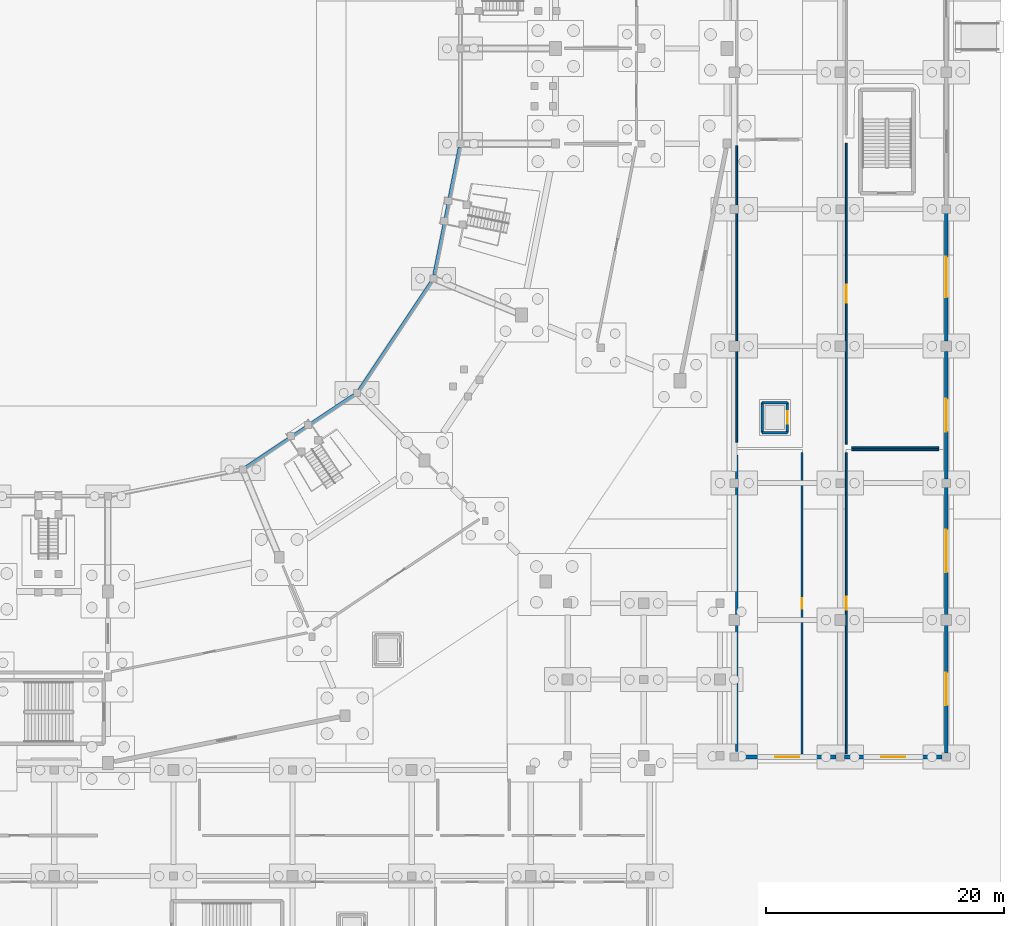
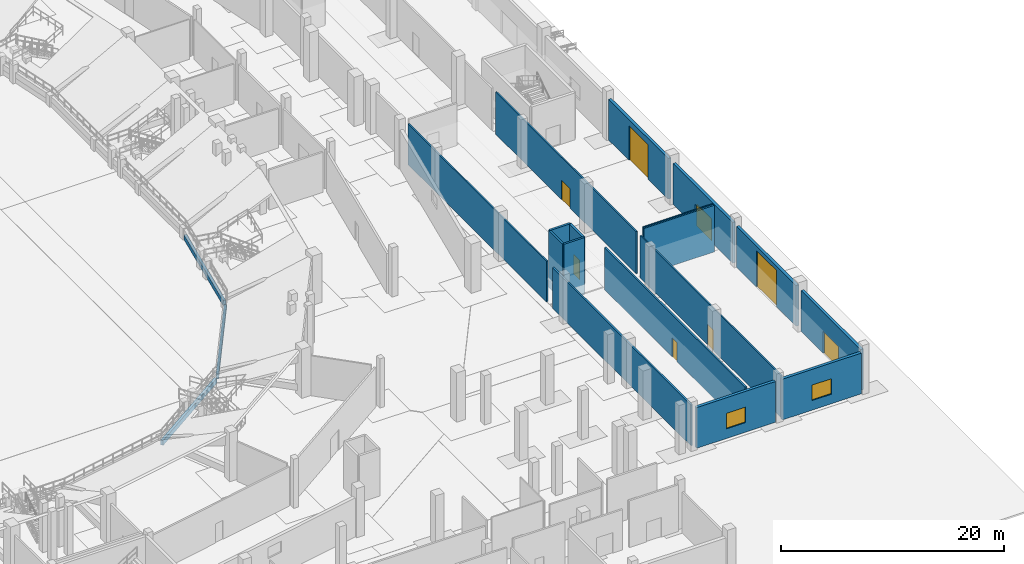
# One storey, part 33 of 68: 20 walls, 8 doors, 2 windows, 10 openings.
"""IFC4 building model written with IfcOpenShell, lengths in metres."""

from ifc_helpers import new_model, si_unit, direction, frame, frame_2d, origin, place, context, subcontext, project, spatial, rectangle, extrude, material, layer, layer_set, type_object, element, fill, save


model = new_model("IFC4")

# Units and contexts
model_context = context("Model", 3, precision=1e-05, world=origin(), true_north=direction((0.0, 1.0)))
body_context = subcontext(model_context, "Body", "Model", "MODEL_VIEW")
ifc_project = project(units=[si_unit("LENGTHUNIT", "METRE"), si_unit("AREAUNIT", "SQUARE_METRE"), si_unit("VOLUMEUNIT", "CUBIC_METRE"), si_unit("PLANEANGLEUNIT", "RADIAN"), si_unit("MASSUNIT", "GRAM", prefix="KILO")], contexts=[model_context])

# Site, building, storey
site_placement = place(None, origin())
site = spatial("IfcSite", under=ifc_project, at=site_placement, CompositionType="ELEMENT")
building_placement = place(site_placement, origin())
building = spatial("IfcBuilding", under=site, at=building_placement, Name="Candeia Ridge Stadium", CompositionType="ELEMENT")
storey_placement = place(building_placement, origin())
storey = spatial("IfcBuildingStorey", under=building, at=storey_placement, Name="L00", CompositionType="ELEMENT", Elevation=0.0)

# Wall, opening, door
ifc_material_1 = material(Name="Gypsum Metal-Stud Partition", Category="gypsum")
ifc_layer_1 = layer(ifc_material_1, 0.14501953125, Name="Gypsum Metal-Stud Partition", Category="gypsum")
ifc_layer_set_1 = layer_set([ifc_layer_1], Name="Gypsum Metal-Stud Partition")
wall_type_1 = type_object("IfcWallType", Name="Athlete Recovery Partition 145", PredefinedType="PARTITIONING", material=ifc_layer_set_1)
wall_1_placement = place(storey_placement, frame((203.0, 19.75, 0.0), z_axis=(0.0, 0.0, 1.0), x_axis=(0.0, 1.0, 0.0)))
wall_1 = element("IfcWall", 1, at=wall_1_placement, inside=storey, type_object=wall_type_1, Name="Interior partition PT-L00-0024", PredefinedType="PARTITIONING", context=body_context, shape_type="SweptSolid", body=[
    extrude(rectangle(XDim=25.300048828125, YDim=0.14501953125, at=frame_2d((12.64990234375, 0.0))), origin(), (0.0, 0.0, 1.0), 4.625),
])
opening_1_placement = place(wall_1_placement, frame((12.110107421875, 0.0, 0.0)))
opening_1 = element("IfcOpeningElement", 2, at=opening_1_placement, cuts=wall_1, Name="Opening ID08", PredefinedType="OPENING", context=body_context, shape_type="SweptSolid", body=[
    extrude(rectangle(XDim=1.080078125, YDim=2.25, at=frame_2d((0.5400390625, 1.125))), frame((0.0, 0.08251953125, 0.0), z_axis=(0.0, -1.0, 0.0), x_axis=(1.0, 0.0, 0.0)), (0.0, 0.0, 1.0), 0.1650390625),
])
ifc_material_2 = material(Name="Western Red Cedar Acoustic Veneer", Category="wood")
door_type_1 = type_object("IfcDoorType", Name="Executive Skybox Entry Door 1080x2250", OperationType="NOTDEFINED", PredefinedType="DOOR", material=ifc_material_2)
door_1_placement = place(opening_1_placement, frame((1.080078125, 0.0, 0.0), z_axis=(0.0, 0.0, 1.0), x_axis=(-1.0, 0.0, 0.0)))
door_1 = element("IfcDoor", 3, at=door_1_placement, inside=storey, type_object=door_type_1, Name="Interior room door D-L00-0014", OperationType="SINGLE_SWING_LEFT", OverallHeight=2.25, OverallWidth=1.080078125, PredefinedType="DOOR", context=body_context, shape_type="SweptSolid", body=[
    extrude(rectangle(XDim=1.080078125, YDim=2.25, at=frame_2d((0.5400390625, 1.125))), frame((0.0, 0.02490234375, 0.0), z_axis=(0.0, -1.0, 0.0), x_axis=(1.0, 0.0, 0.0)), (0.0, 0.0, 1.0), 0.050048828125),
])
fill(opening_1, door_1)

# Wall
ifc_material_3 = material(Name="Concrete Masonry Blockwork C25/30", Category="masonry")
ifc_layer_2 = layer(ifc_material_3, 0.14990234375, Name="Concrete Masonry Blockwork C25/30", Category="masonry")
ifc_layer_set_2 = layer_set([ifc_layer_2], Name="Concrete Masonry Blockwork C25/30")
wall_type_2 = type_object("IfcWallType", Name="Concourse Kiosk Partition 150", PredefinedType="PARTITIONING", material=ifc_layer_set_2)
wall_2_placement = place(storey_placement, frame((193.800048828125, 45.949951171875, 0.0), z_axis=(0.0, 0.0, 1.0), x_axis=(0.0, 1.0, 0.0)))
element("IfcWall", 4, at=wall_2_placement, inside=storey, type_object=wall_type_2, Name="Demising partition PT-L00-0027", PredefinedType="PARTITIONING", context=body_context, shape_type="SweptSolid", body=[
    extrude(rectangle(XDim=24.900146484375, YDim=0.14990234375, at=frame_2d((12.4501953125, 0.0))), origin(), (0.0, 0.0, 1.0), 4.47509765625),
])

# Wall, opening, door
wall_3_placement = place(storey_placement, frame((203.0, 45.75, 0.0), z_axis=(0.0, 0.0, 1.0), x_axis=(0.0, 1.0, 0.0)))
wall_3 = element("IfcWall", 5, at=wall_3_placement, inside=storey, type_object=wall_type_2, Name="Interior partition PT-L00-0028", PredefinedType="PARTITIONING", context=body_context, shape_type="SweptSolid", body=[
    extrude(rectangle(XDim=25.300048828125, YDim=0.14990234375, at=frame_2d((12.64990234375, 0.0))), origin(), (0.0, 0.0, 1.0), 4.625),
])
opening_2_placement = place(wall_3_placement, frame((11.875, 0.0, 0.0)))
opening_2 = element("IfcOpeningElement", 6, at=opening_2_placement, cuts=wall_3, Name="Opening ID14", PredefinedType="OPENING", context=body_context, shape_type="SweptSolid", body=[
    extrude(rectangle(XDim=1.550048828125, YDim=2.14990234375, at=frame_2d((0.77490234375, 1.074951171875))), frame((0.0, 0.0849609375, 0.0), z_axis=(0.0, -1.0, 0.0), x_axis=(1.0, 0.0, 0.0)), (0.0, 0.0, 1.0), 0.169921875),
])
ifc_material_4 = material(Name="Brushed Stainless Steel", Category="steel")
door_type_2 = type_object("IfcDoorType", Name="Catering Kitchen Double Door 1550x2150", OperationType="NOTDEFINED", PredefinedType="DOOR", material=ifc_material_4)
door_2_placement = place(opening_2_placement, origin())
door_2 = element("IfcDoor", 7, at=door_2_placement, inside=storey, type_object=door_type_2, Name="Interior room door D-L00-0016", OperationType="DOUBLE_DOOR_SINGLE_SWING", OverallHeight=2.14990234375, OverallWidth=1.550048828125, PredefinedType="DOOR", context=body_context, shape_type="SweptSolid", body=[
    extrude(rectangle(XDim=1.550048828125, YDim=2.14990234375, at=frame_2d((0.77490234375, 1.074951171875))), frame((0.0, 0.02490234375, 0.0), z_axis=(0.0, -1.0, 0.0), x_axis=(1.0, 0.0, 0.0)), (0.0, 0.0, 1.0), 0.050048828125),
])
fill(opening_2, door_2)

# Wall, opening, window
ifc_material_5 = material(Name="Concrete C35/45", Category="concrete")
ifc_layer_3 = layer(ifc_material_5, 0.300048828125, Name="Concrete C35/45", Category="concrete")
ifc_layer_set_3 = layer_set([ifc_layer_3], Name="Concrete C35/45")
wall_type_3 = type_object("IfcWallType", Name="Exterior Pavilion Rainscreen Wall 300", PredefinedType="SOLIDWALL", material=ifc_layer_set_3)
wall_4_placement = place(storey_placement, frame((193.93798828125, 19.5, 0.0), z_axis=(0.0, 0.0, 1.0), x_axis=(1.0, 0.0, 0.0)))
wall_4 = element("IfcWall", 8, at=wall_4_placement, inside=storey, type_object=wall_type_3, Name="Exterior facade wall EW-L00-0130", PredefinedType="SOLIDWALL", context=body_context, shape_type="SweptSolid", body=[
    extrude(rectangle(XDim=8.22412109375, YDim=0.300048828125, at=frame_2d((4.112060546875, 0.0))), origin(), (0.0, 0.0, 1.0), 4.47509765625),
])
opening_3_placement = place(wall_4_placement, frame((3.112060546875, 0.0, 1.050048828125)))
opening_3 = element("IfcOpeningElement", 9, at=opening_3_placement, cuts=wall_4, Name="Opening W12", PredefinedType="OPENING", context=body_context, shape_type="SweptSolid", body=[
    extrude(rectangle(XDim=2.0, YDim=1.699951171875, at=frame_2d((1.0, 0.85009765625))), frame((0.0, 0.159912109375, 0.0), z_axis=(0.0, -1.0, 0.0), x_axis=(1.0, 0.0, 0.0)), (0.0, 0.0, 1.0), 0.320068359375),
])
ifc_material_6 = material(Name="Tempered Solar-Control Double Glazing", Category="glass")
window_type = type_object("IfcWindowType", Name="Community Room Window 2000x1700", PartitioningType="SINGLE_PANEL", PredefinedType="WINDOW", material=ifc_material_6)
window_1_placement = place(opening_3_placement, origin())
window_1 = element("IfcWindow", 10, at=window_1_placement, inside=storey, type_object=window_type, Name="Exterior window WIN-L00-067", OverallHeight=1.699951171875, OverallWidth=2.0, PartitioningType="SINGLE_PANEL", PredefinedType="WINDOW", context=body_context, shape_type="SweptSolid", body=[
    extrude(rectangle(XDim=2.0, YDim=1.699951171875, at=frame_2d((1.0, 0.85009765625))), frame((0.0, 0.030029296875, 0.0), z_axis=(0.0, -1.0, 0.0), x_axis=(1.0, 0.0, 0.0)), (0.0, 0.0, 1.0), 0.06005859375),
])
fill(opening_3, window_1)

wall_5_placement = place(storey_placement, frame((202.837890625, 19.5, 0.0), z_axis=(0.0, 0.0, 1.0), x_axis=(1.0, 0.0, 0.0)))
wall_5 = element("IfcWall", 11, at=wall_5_placement, inside=storey, type_object=wall_type_3, Name="Exterior facade wall EW-L00-0131", PredefinedType="SOLIDWALL", context=body_context, shape_type="SweptSolid", body=[
    extrude(rectangle(XDim=8.22412109375, YDim=0.300048828125, at=frame_2d((4.112060546875, 0.0))), origin(), (0.0, 0.0, 1.0), 4.47509765625),
])
opening_4_placement = place(wall_5_placement, frame((3.112060546875, 0.0, 1.050048828125)))
opening_4 = element("IfcOpeningElement", 12, at=opening_4_placement, cuts=wall_5, Name="Opening W12", PredefinedType="OPENING", context=body_context, shape_type="SweptSolid", body=[
    extrude(rectangle(XDim=2.0, YDim=1.699951171875, at=frame_2d((1.0, 0.85009765625))), frame((0.0, 0.159912109375, 0.0), z_axis=(0.0, -1.0, 0.0), x_axis=(1.0, 0.0, 0.0)), (0.0, 0.0, 1.0), 0.320068359375),
])
window_2_placement = place(opening_4_placement, origin())
window_2 = element("IfcWindow", 13, at=window_2_placement, inside=storey, type_object=window_type, Name="Exterior window WIN-L00-068", OverallHeight=1.699951171875, OverallWidth=2.0, PartitioningType="SINGLE_PANEL", PredefinedType="WINDOW", context=body_context, shape_type="SweptSolid", body=[
    extrude(rectangle(XDim=2.0, YDim=1.699951171875, at=frame_2d((1.0, 0.85009765625))), frame((0.0, 0.030029296875, 0.0), z_axis=(0.0, -1.0, 0.0), x_axis=(1.0, 0.0, 0.0)), (0.0, 0.0, 1.0), 0.06005859375),
])
fill(opening_4, window_2)

# Wall, opening, door
ifc_layer_4 = layer(ifc_material_5, 0.2900390625, Name="Concrete C35/45", Category="concrete")
ifc_layer_set_4 = layer_set([ifc_layer_4], Name="Concrete C35/45")
wall_type_4 = type_object("IfcWallType", Name="Exterior Service & Plant Wall 290", PredefinedType="SOLIDWALL", material=ifc_layer_set_4)
wall_6_placement = place(storey_placement, frame((211.39990234375, 19.837890625, 0.0), z_axis=(0.0, 0.0, 1.0), x_axis=(0.0, 1.0, 0.0)))
wall_6 = element("IfcWall", 14, at=wall_6_placement, inside=storey, type_object=wall_type_4, Name="Exterior facade wall EW-L00-0119", PredefinedType="SOLIDWALL", context=body_context, shape_type="SweptSolid", body=[
    extrude(rectangle(XDim=10.72412109375, YDim=0.2900390625, at=frame_2d((5.362060546875, 0.0))), origin(), (0.0, 0.0, 1.0), 4.47509765625),
])
opening_5_placement = place(wall_6_placement, frame((3.987060546875, 0.0, 0.0)))
opening_5 = element("IfcOpeningElement", 15, at=opening_5_placement, cuts=wall_6, Name="Opening ED01", PredefinedType="OPENING", context=body_context, shape_type="SweptSolid", body=[
    extrude(rectangle(XDim=2.75, YDim=2.39990234375, at=frame_2d((1.375, 1.199951171875))), frame((0.0, 0.155029296875, 0.0), z_axis=(0.0, -1.0, 0.0), x_axis=(1.0, 0.0, 0.0)), (0.0, 0.0, 1.0), 0.31005859375),
])
ifc_material_7 = material(Name="Aluminium Anodized Glazed Door", Category="aluminium")
door_type_3 = type_object("IfcDoorType", Name="Pedestrian Exit Double Door 2750x2400", OperationType="NOTDEFINED", PredefinedType="DOOR", material=ifc_material_7)
door_3_placement = place(opening_5_placement, frame((2.75, 0.0, 0.0), z_axis=(0.0, 0.0, 1.0), x_axis=(-1.0, 0.0, 0.0)))
door_3 = element("IfcDoor", 16, at=door_3_placement, inside=storey, type_object=door_type_3, Name="Pedestrian exit gate G09", OperationType="DOUBLE_DOOR_SINGLE_SWING", OverallHeight=2.39990234375, OverallWidth=2.75, PredefinedType="DOOR", context=body_context, shape_type="SweptSolid", body=[
    extrude(rectangle(XDim=2.75, YDim=2.39990234375, at=frame_2d((1.375, 1.199951171875))), frame((0.0, 0.02490234375, 0.0), z_axis=(0.0, -1.0, 0.0), x_axis=(1.0, 0.0, 0.0)), (0.0, 0.0, 1.0), 0.050048828125),
])
fill(opening_5, door_3)

wall_7_placement = place(storey_placement, frame((211.39990234375, 31.43798828125, 0.0), z_axis=(0.0, 0.0, 1.0), x_axis=(0.0, 1.0, 0.0)))
wall_7 = element("IfcWall", 17, at=wall_7_placement, inside=storey, type_object=wall_type_4, Name="Exterior facade wall EW-L00-0120", PredefinedType="SOLIDWALL", context=body_context, shape_type="SweptSolid", body=[
    extrude(rectangle(XDim=10.72412109375, YDim=0.2900390625, at=frame_2d((5.362060546875, 0.0))), origin(), (0.0, 0.0, 1.0), 4.47509765625),
])
opening_6_placement = place(wall_7_placement, frame((3.56201171875, 0.0, 0.0)))
opening_6 = element("IfcOpeningElement", 18, at=opening_6_placement, cuts=wall_7, Name="Opening RS01", PredefinedType="OPENING", context=body_context, shape_type="SweptSolid", body=[
    extrude(rectangle(XDim=3.60009765625, YDim=4.0, at=frame_2d((1.800048828125, 2.0))), frame((0.0, 0.155029296875, 0.0), z_axis=(0.0, -1.0, 0.0), x_axis=(1.0, 0.0, 0.0)), (0.0, 0.0, 1.0), 0.31005859375),
])
ifc_material_8 = material(Name="Galvanized Steel Roller Shutter", Category="steel")
door_type_4 = type_object("IfcDoorType", Name="Vehicle Service Roller Shutter 3600x4000", OperationType="NOTDEFINED", PredefinedType="DOOR", material=ifc_material_8)
door_4_placement = place(opening_6_placement, frame((3.60009765625, 0.0, 0.0), z_axis=(0.0, 0.0, 1.0), x_axis=(-1.0, 0.0, 0.0)))
door_4 = element("IfcDoor", 19, at=door_4_placement, inside=storey, type_object=door_type_4, Name="Service dock roller shutter LS01", OperationType="ROLLINGUP", OverallHeight=4.0, OverallWidth=3.60009765625, PredefinedType="DOOR", context=body_context, shape_type="SweptSolid", body=[
    extrude(rectangle(XDim=3.60009765625, YDim=4.0, at=frame_2d((1.800048828125, 2.0))), frame((0.0, 0.02490234375, 0.0), z_axis=(0.0, -1.0, 0.0), x_axis=(1.0, 0.0, 0.0)), (0.0, 0.0, 1.0), 0.050048828125),
])
fill(opening_6, door_4)

wall_8_placement = place(storey_placement, frame((211.39990234375, 42.837890625, 0.0), z_axis=(0.0, 0.0, 1.0), x_axis=(0.0, 1.0, 0.0)))
wall_8 = element("IfcWall", 20, at=wall_8_placement, inside=storey, type_object=wall_type_4, Name="Exterior facade wall EW-L00-0121", PredefinedType="SOLIDWALL", context=body_context, shape_type="SweptSolid", body=[
    extrude(rectangle(XDim=10.72412109375, YDim=0.2900390625, at=frame_2d((5.362060546875, 0.0))), origin(), (0.0, 0.0, 1.0), 4.47509765625),
])
opening_7_placement = place(wall_8_placement, frame((3.987060546875, 0.0, 0.0)))
opening_7 = element("IfcOpeningElement", 21, at=opening_7_placement, cuts=wall_8, Name="Opening ED01", PredefinedType="OPENING", context=body_context, shape_type="SweptSolid", body=[
    extrude(rectangle(XDim=2.75, YDim=2.39990234375, at=frame_2d((1.375, 1.199951171875))), frame((0.0, 0.155029296875, 0.0), z_axis=(0.0, -1.0, 0.0), x_axis=(1.0, 0.0, 0.0)), (0.0, 0.0, 1.0), 0.31005859375),
])
door_5_placement = place(opening_7_placement, frame((2.75, 0.0, 0.0), z_axis=(0.0, 0.0, 1.0), x_axis=(-1.0, 0.0, 0.0)))
door_5 = element("IfcDoor", 22, at=door_5_placement, inside=storey, type_object=door_type_3, Name="Pedestrian exit gate G10", OperationType="DOUBLE_DOOR_SINGLE_SWING", OverallHeight=2.39990234375, OverallWidth=2.75, PredefinedType="DOOR", context=body_context, shape_type="SweptSolid", body=[
    extrude(rectangle(XDim=2.75, YDim=2.39990234375, at=frame_2d((1.375, 1.199951171875))), frame((0.0, 0.02490234375, 0.0), z_axis=(0.0, -1.0, 0.0), x_axis=(1.0, 0.0, 0.0)), (0.0, 0.0, 1.0), 0.050048828125),
])
fill(opening_7, door_5)

wall_9_placement = place(storey_placement, frame((211.39990234375, 54.43798828125, 0.0), z_axis=(0.0, 0.0, 1.0), x_axis=(0.0, 1.0, 0.0)))
wall_9 = element("IfcWall", 23, at=wall_9_placement, inside=storey, type_object=wall_type_4, Name="Exterior facade wall EW-L00-0122", PredefinedType="SOLIDWALL", context=body_context, shape_type="SweptSolid", body=[
    extrude(rectangle(XDim=10.72412109375, YDim=0.2900390625, at=frame_2d((5.362060546875, 0.0))), origin(), (0.0, 0.0, 1.0), 4.47509765625),
])
opening_8_placement = place(wall_9_placement, frame((3.662109375, 0.0, 0.0)))
opening_8 = element("IfcOpeningElement", 24, at=opening_8_placement, cuts=wall_9, Name="Opening RS02", PredefinedType="OPENING", context=body_context, shape_type="SweptSolid", body=[
    extrude(rectangle(XDim=3.39990234375, YDim=3.800048828125, at=frame_2d((1.699951171875, 1.89990234375))), frame((0.0, 0.155029296875, 0.0), z_axis=(0.0, -1.0, 0.0), x_axis=(1.0, 0.0, 0.0)), (0.0, 0.0, 1.0), 0.31005859375),
])
door_type_5 = type_object("IfcDoorType", Name="Broadcast Dock Roller Shutter 3400x3800", OperationType="NOTDEFINED", PredefinedType="DOOR", material=ifc_material_8)
door_6_placement = place(opening_8_placement, frame((3.39990234375, 0.0, 0.0), z_axis=(0.0, 0.0, 1.0), x_axis=(-1.0, 0.0, 0.0)))
door_6 = element("IfcDoor", 25, at=door_6_placement, inside=storey, type_object=door_type_5, Name="Service dock roller shutter LS02", OperationType="ROLLINGUP", OverallHeight=3.800048828125, OverallWidth=3.39990234375, PredefinedType="DOOR", context=body_context, shape_type="SweptSolid", body=[
    extrude(rectangle(XDim=3.39990234375, YDim=3.800048828125, at=frame_2d((1.699951171875, 1.89990234375))), frame((0.0, 0.02490234375, 0.0), z_axis=(0.0, -1.0, 0.0), x_axis=(1.0, 0.0, 0.0)), (0.0, 0.0, 1.0), 0.050048828125),
])
fill(opening_8, door_6)

# Walls
ifc_material_9 = material(Name="Gypsum Acoustic Twin-Stud Assembly", Category="gypsum")
ifc_layer_5 = layer(ifc_material_9, 0.1650390625, Name="Gypsum Acoustic Twin-Stud Assembly", Category="gypsum")
ifc_layer_set_5 = layer_set([ifc_layer_5], Name="Gypsum Acoustic Twin-Stud Assembly")
wall_type_5 = type_object("IfcWallType", Name="Hospitality Suite Acoustic Wall 165", PredefinedType="PARTITIONING", material=ifc_layer_set_5)
wall_10_placement = place(storey_placement, frame((203.449951171875, 45.300048828125, 0.0), z_axis=(0.0, 0.0, 1.0), x_axis=(1.0, 0.0, 0.0)))
element("IfcWall", 26, at=wall_10_placement, inside=storey, type_object=wall_type_5, Name="Demising partition PT-L00-0025", PredefinedType="PARTITIONING", context=body_context, shape_type="SweptSolid", body=[
    extrude(rectangle(XDim=7.300048828125, YDim=0.1650390625, at=frame_2d((3.64990234375, 0.0))), origin(), (0.0, 0.0, 1.0), 5.1201171875),
])
ifc_material_10 = material(Name="Concrete C40/50", Category="concrete")
ifc_layer_6 = layer(ifc_material_10, 0.219970703125, Name="Concrete C40/50", Category="concrete")
ifc_layer_set_6 = layer_set([ifc_layer_6], Name="Concrete C40/50")
wall_type_6 = type_object("IfcWallType", Name="Lift & Riser Shaft Wall 220", PredefinedType="SHEAR", material=ifc_layer_set_6)
wall_11_placement = place(storey_placement, frame((195.93994140625, 46.739990234375, -1.10009765625), z_axis=(0.0, 0.0, 1.0), x_axis=(1.0, 0.0, 0.0)))
element("IfcWall", 27, at=wall_11_placement, inside=storey, type_object=wall_type_6, Name="Lift PL8 shaft wall L00 south", PredefinedType="SHEAR", context=body_context, shape_type="SweptSolid", body=[
    extrude(rectangle(XDim=2.1201171875, YDim=0.219970703125, at=frame_2d((1.06005859375, 0.0))), origin(), (0.0, 0.0, 1.0), 6.239990234375),
])

# Wall, opening, door
wall_12_placement = place(storey_placement, frame((198.06005859375, 46.739990234375, -1.10009765625), z_axis=(0.0, 0.0, 1.0), x_axis=(0.0, 1.0, 0.0)))
wall_12 = element("IfcWall", 28, at=wall_12_placement, inside=storey, type_object=wall_type_6, Name="Lift PL8 shaft wall L00 east", PredefinedType="SHEAR", context=body_context, shape_type="SweptSolid", body=[
    extrude(rectangle(XDim=2.52001953125, YDim=0.219970703125, at=frame_2d((1.260009765625, 0.0))), origin(), (0.0, 0.0, 1.0), 6.239990234375),
])
opening_9_placement = place(wall_12_placement, frame((0.735107421875, 0.0, 1.10009765625)))
opening_9 = element("IfcOpeningElement", 29, at=opening_9_placement, cuts=wall_12, Name="Opening LD02", PredefinedType="OPENING", context=body_context, shape_type="SweptSolid", body=[
    extrude(rectangle(XDim=1.050048828125, YDim=2.14990234375, at=frame_2d((0.52490234375, 1.074951171875))), frame((0.0, 0.119873046875, 0.0), z_axis=(0.0, -1.0, 0.0), x_axis=(1.0, 0.0, 0.0)), (0.0, 0.0, 1.0), 0.239990234375),
])
door_type_6 = type_object("IfcDoorType", Name="Passenger Lift Landing Door 1050x2150", OperationType="NOTDEFINED", PredefinedType="DOOR", material=ifc_material_4)
door_7_placement = place(opening_9_placement, origin())
door_7 = element("IfcDoor", 30, at=door_7_placement, inside=storey, type_object=door_type_6, Name="Lift landing sliding door LD-PL8-L00", OperationType="DOUBLE_DOOR_SLIDING", OverallHeight=2.14990234375, OverallWidth=1.050048828125, PredefinedType="DOOR", context=body_context, shape_type="SweptSolid", body=[
    extrude(rectangle(XDim=1.050048828125, YDim=2.14990234375, at=frame_2d((0.52490234375, 1.074951171875))), frame((0.0, 0.02490234375, 0.0), z_axis=(0.0, -1.0, 0.0), x_axis=(1.0, 0.0, 0.0)), (0.0, 0.0, 1.0), 0.050048828125),
])
fill(opening_9, door_7)

# Walls
wall_13_placement = place(storey_placement, frame((198.06005859375, 49.260009765625, -1.10009765625), z_axis=(0.0, 0.0, 1.0), x_axis=(-1.0, 0.0, 0.0)))
element("IfcWall", 31, at=wall_13_placement, inside=storey, type_object=wall_type_6, Name="Lift PL8 shaft wall L00 north", PredefinedType="SHEAR", context=body_context, shape_type="SweptSolid", body=[
    extrude(rectangle(XDim=2.1201171875, YDim=0.219970703125, at=frame_2d((1.06005859375, 0.0))), origin(), (0.0, 0.0, 1.0), 6.239990234375),
])
wall_14_placement = place(storey_placement, frame((195.93994140625, 49.260009765625, -1.10009765625), z_axis=(0.0, 0.0, 1.0), x_axis=(0.0, -1.0, 0.0)))
element("IfcWall", 32, at=wall_14_placement, inside=storey, type_object=wall_type_6, Name="Lift PL8 shaft wall L00 west", PredefinedType="SHEAR", context=body_context, shape_type="SweptSolid", body=[
    extrude(rectangle(XDim=2.52001953125, YDim=0.219970703125, at=frame_2d((1.260009765625, 0.0))), origin(), (0.0, 0.0, 1.0), 6.239990234375),
])
ifc_material_11 = material(Name="Gypsum Acoustic Triple-Board Wall", Category="gypsum")
ifc_layer_7 = layer(ifc_material_11, 0.18505859375, Name="Gypsum Acoustic Triple-Board Wall", Category="gypsum")
ifc_layer_set_7 = layer_set([ifc_layer_7], Name="Gypsum Acoustic Triple-Board Wall")
wall_type_7 = type_object("IfcWallType", Name="Media Booth Studio Divider 185", PredefinedType="PARTITIONING", material=ifc_layer_set_7)
wall_15_placement = place(storey_placement, frame((193.800048828125, 19.949951171875, 0.0), z_axis=(0.0, 0.0, 1.0), x_axis=(0.0, 1.0, 0.0)))
element("IfcWall", 33, at=wall_15_placement, inside=storey, type_object=wall_type_7, Name="Demising partition PT-L00-0023", PredefinedType="PARTITIONING", context=body_context, shape_type="SweptSolid", body=[
    extrude(rectangle(XDim=24.900146484375, YDim=0.18505859375, at=frame_2d((12.4501953125, 0.0))), origin(), (0.0, 0.0, 1.0), 4.47509765625),
])

# Wall, opening, door
ifc_layer_8 = layer(ifc_material_9, 0.175048828125, Name="Gypsum Acoustic Twin-Stud Assembly", Category="gypsum")
ifc_layer_set_8 = layer_set([ifc_layer_8], Name="Gypsum Acoustic Twin-Stud Assembly")
wall_type_8 = type_object("IfcWallType", Name="Museum Acoustic Gallery Wall 175", PredefinedType="PARTITIONING", material=ifc_layer_set_8)
wall_16_placement = place(storey_placement, frame((199.300048828125, 45.050048828125, 0.0), z_axis=(0.0, 0.0, 1.0), x_axis=(0.0, -1.0, 0.0)))
wall_16 = element("IfcWall", 34, at=wall_16_placement, inside=storey, type_object=wall_type_8, Name="Interior partition PT-L00-0022", PredefinedType="PARTITIONING", context=body_context, shape_type="SweptSolid", body=[
    extrude(rectangle(XDim=25.300048828125, YDim=0.175048828125, at=frame_2d((12.64990234375, 0.0))), origin(), (0.0, 0.0, 1.0), 4.625),
])
opening_10_placement = place(wall_16_placement, frame((12.199951171875, 0.0, 0.0)))
opening_10 = element("IfcOpeningElement", 35, at=opening_10_placement, cuts=wall_16, Name="Opening ID07", PredefinedType="OPENING", context=body_context, shape_type="SweptSolid", body=[
    extrude(rectangle(XDim=0.89990234375, YDim=2.10009765625, at=frame_2d((0.449951171875, 1.050048828125))), frame((0.0, 0.097412109375, 0.0), z_axis=(0.0, -1.0, 0.0), x_axis=(1.0, 0.0, 0.0)), (0.0, 0.0, 1.0), 0.195068359375),
])
ifc_material_12 = material(Name="Moisture-Resistant Laminate", Category="wood")
door_type_7 = type_object("IfcDoorType", Name="Sanitary Lobby Single Door 900x2100", OperationType="NOTDEFINED", PredefinedType="DOOR", material=ifc_material_12)
door_8_placement = place(opening_10_placement, origin())
door_8 = element("IfcDoor", 36, at=door_8_placement, inside=storey, type_object=door_type_7, Name="Interior room door D-L00-0013", OperationType="SINGLE_SWING_RIGHT", OverallHeight=2.10009765625, OverallWidth=0.89990234375, PredefinedType="DOOR", context=body_context, shape_type="SweptSolid", body=[
    extrude(rectangle(XDim=0.89990234375, YDim=2.10009765625, at=frame_2d((0.449951171875, 1.050048828125))), frame((0.0, 0.02490234375, 0.0), z_axis=(0.0, -1.0, 0.0), x_axis=(1.0, 0.0, 0.0)), (0.0, 0.0, 1.0), 0.050048828125),
])
fill(opening_10, door_8)

# Walls
ifc_material_13 = material(Name="Concrete C45/55", Category="concrete")
ifc_layer_9 = layer(ifc_material_13, 0.264892578125, Name="Concrete C45/55", Category="concrete")
ifc_layer_set_9 = layer_set([ifc_layer_9], Name="Concrete C45/55")
wall_type_9 = type_object("IfcWallType", Name="Pitch-Side Moat Retaining Wall 265", PredefinedType="SOLIDWALL", material=ifc_layer_set_9)
for number, where, z_axis, x_axis, name in (
    (37, (152.593505859375, 43.830810546875, 0.0), (0.0, 0.0, 1.0), (0.831464537633, 0.555577827724, 0.0), "Pitch-side moat wall EW-L00-0035"),
    (38, (162.108154296875, 50.335693359375, 0.0), (0.0, 0.0, 1.0), (0.555577827724, 0.831464537633, 0.0), "Pitch-side moat wall EW-L00-0036"),
    (39, (168.4091796875, 59.986328125, 0.0), (0.0, 0.0, 1.0), (0.195100366358, 0.980783282406, 0.0), "Pitch-side moat wall EW-L00-0037"),
):
    element("IfcWall", number, at=place(storey_placement, frame(where, z_axis=z_axis, x_axis=x_axis)), inside=storey, type_object=wall_type_9, Name=name, PredefinedType="SOLIDWALL", context=body_context, shape_type="SweptSolid", body=[
        extrude(rectangle(XDim=10.909423828125, YDim=0.264892578125, at=frame_2d((5.45458984375, 0.0))), origin(), (0.0, 0.0, 1.0), 0.5400390625),
    ])
ifc_layer_10 = layer(ifc_material_1, 0.1201171875, Name="Gypsum Metal-Stud Partition", Category="gypsum")
ifc_layer_set_10 = layer_set([ifc_layer_10], Name="Gypsum Metal-Stud Partition")
wall_type_10 = type_object("IfcWallType", Name="Suite Internal Divider 120", PredefinedType="PARTITIONING", material=ifc_layer_set_10)
wall_17_placement = place(storey_placement, frame((210.75, 45.5, 0.0), z_axis=(0.0, 0.0, 1.0), x_axis=(-1.0, 0.0, 0.0)))
element("IfcWall", 40, at=wall_17_placement, inside=storey, type_object=wall_type_10, Name="Demising partition PT-L00-0029", PredefinedType="PARTITIONING", context=body_context, shape_type="SweptSolid", body=[
    extrude(rectangle(XDim=7.300048828125, YDim=0.1201171875, at=frame_2d((3.64990234375, 0.0))), origin(), (0.0, 0.0, 1.0), 5.1201171875),
])

save(model, "model.ifc")
